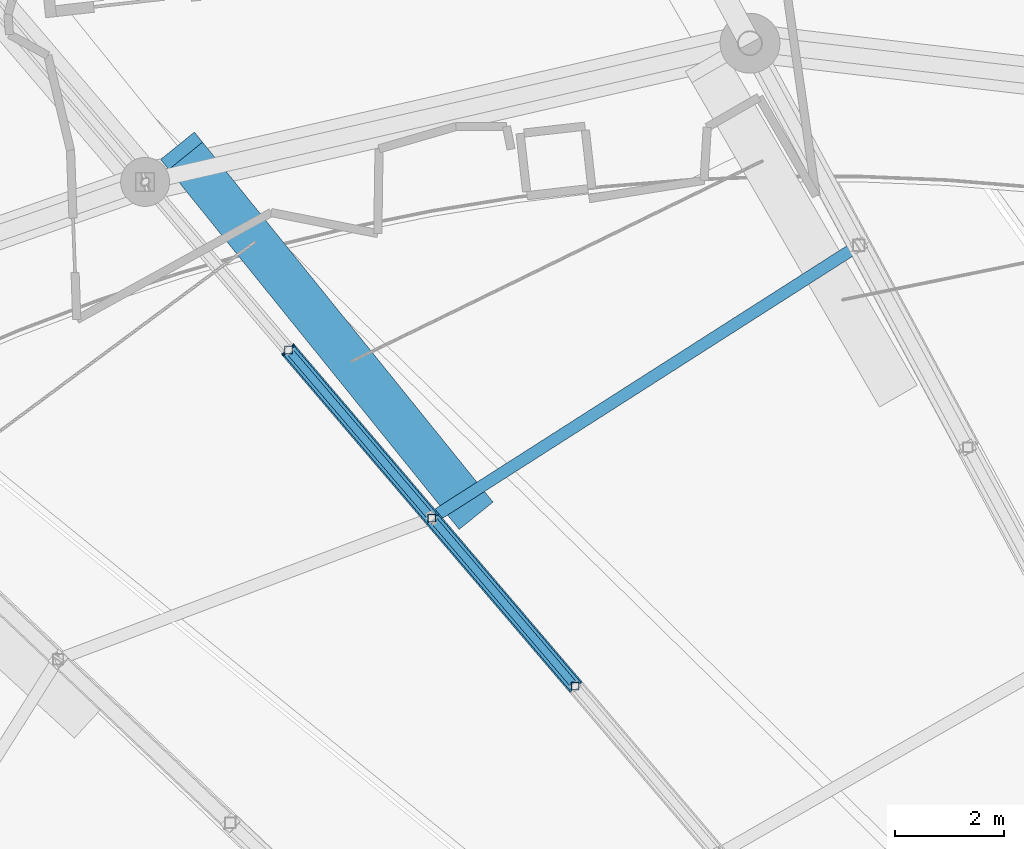
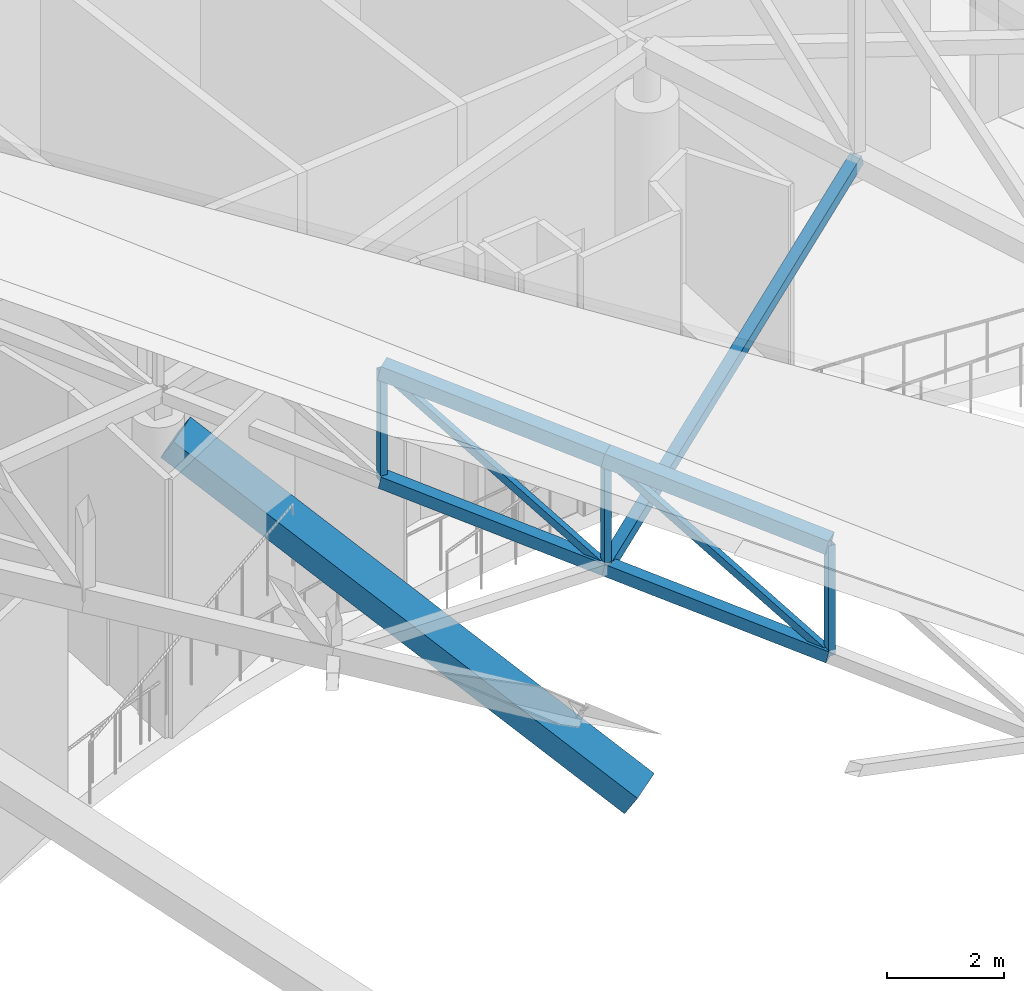
# One storey, part 140 of 344: 10 members, 1 beam.
"""IFC4 building model written with IfcOpenShell, lengths in metres."""

from ifc_helpers import new_model, si_unit, direction, frame, origin, origin_2d, place, context, subcontext, project, spatial, rectangle, hollow_rectangle, extrude, material, material_profile, profile_set, type_object, element, save


model = new_model("IFC4")

# Units and contexts
model_context = context("Model", 3, precision=1e-05, world=origin(), true_north=direction((0.0, 1.0)))
body_context = subcontext(model_context, "Body", "Model", "MODEL_VIEW")
ifc_project = project(units=[si_unit("LENGTHUNIT", "METRE"), si_unit("AREAUNIT", "SQUARE_METRE"), si_unit("VOLUMEUNIT", "CUBIC_METRE"), si_unit("PLANEANGLEUNIT", "RADIAN"), si_unit("MASSUNIT", "GRAM", prefix="KILO")], contexts=[model_context])

# Site, building, storey
site_placement = place(None, origin())
site = spatial("IfcSite", under=ifc_project, at=site_placement, CompositionType="ELEMENT")
building_placement = place(site_placement, origin())
building = spatial("IfcBuilding", under=site, at=building_placement, Name="Meseta Stadium", CompositionType="ELEMENT")
storey_placement = place(building_placement, frame((0.0, 0.0, 24.0)))
storey = spatial("IfcBuildingStorey", under=building, at=storey_placement, Name="L04", CompositionType="ELEMENT", Elevation=24.0)

# Beam
ifc_material_1 = material(Name="Concrete C40/50", Category="concrete")
ifc_material_profile_1 = material_profile(ifc_material_1, rectangle(XDim=0.800048828125, YDim=0.449951171875, at=origin_2d()), Name="RC 800x450")
ifc_profile_set_1 = profile_set([ifc_material_profile_1], Name="Concrete C40/50")
beam_type = type_object("IfcBeamType", Name="RC raker upper rear 800x450", PredefinedType="USERDEFINED", material=ifc_profile_set_1)
beam_placement = place(storey_placement, frame((-49.791015625, 82.498779296875, -1.587646484375), z_axis=(-0.533000219927, 0.660412282013, 0.528929469139), x_axis=(-0.778177101926, -0.628044901292, 0.0)))
element("IfcBeam", 1, at=beam_placement, inside=storey, type_object=beam_type, Name="Raker upper rear frame 23 upper tier", ObjectType="RAKER", PredefinedType="USERDEFINED", context=body_context, shape_type="SweptSolid", body=[
    extrude(rectangle(XDim=0.800048828125, YDim=0.449951171875, at=origin_2d()), origin(), (0.0, 0.0, 1.0), 10.015625),
])

# Members
ifc_material_2 = material(Name="Steel S355", Category="steel")
ifc_material_profile_2 = material_profile(ifc_material_2, hollow_rectangle(XDim=0.139892578125, YDim=0.139892578125, WallThickness=0.0048828125, at=origin_2d()), Name="SHS 140x140x5")
ifc_profile_set_2 = profile_set([ifc_material_profile_2], Name="Steel S355")
member_type_1 = type_object("IfcMemberType", Name="SHS 140x140x5 diagonal", PredefinedType="BRACE", material=ifc_profile_set_2)
for number, where, z_axis, x_axis, name in (
    (2, (-47.8955078125, 79.27392578125, 2.62841796875), (-0.511339599625, 0.599516304119, 0.615720728051), (-0.760841810831, -0.64893739212, 0.0), "ROOF TRUSS RT-23 diagonal"),
    (3, (-50.5302734375, 82.363037109375, 3.5009765625), (-0.511304997159, 0.599578670563, 0.615688734416), (-0.760896819388, -0.64887289221, 0.0), "ROOF TRUSS RT-23 diagonal"),
):
    element("IfcMember", number, at=place(storey_placement, frame(where, z_axis=z_axis, x_axis=x_axis)), inside=storey, type_object=member_type_1, Name=name, PredefinedType="BRACE", context=body_context, shape_type="SweptSolid", body=[
        extrude(hollow_rectangle(XDim=0.139892578125, YDim=0.139892578125, WallThickness=0.0048828125, at=origin_2d()), origin(), (0.0, 0.0, 1.0), 5.152587890625),
    ])
ifc_material_3 = material(Name="Steel S355", Category="steel")
ifc_material_profile_3 = material_profile(ifc_material_3, hollow_rectangle(XDim=0.139892578125, YDim=0.139892578125, WallThickness=0.0048828125, at=origin_2d()), Name="SHS 140x140x5")
ifc_profile_set_3 = profile_set([ifc_material_profile_3], Name="Steel S355")
member_type_2 = type_object("IfcMemberType", Name="SHS 140x140x5 post", PredefinedType="POST", material=ifc_profile_set_3)
for number, where, z_axis, x_axis, name in (
    (4, (-47.8955078125, 79.27392578125, 2.62841796875), (0.0, 0.0, 1.0), (1.0, 0.0, 0.0), "ROOF TRUSS RT-23 post"),
    (5, (-50.5302734375, 82.363037109375, 3.5009765625), (0.0, 0.0, 1.0), (1.0, 0.0, 0.0), "ROOF TRUSS RT-23 post"),
    (6, (-53.164794921875, 85.452392578125, 4.373291015625), (0.0, 0.0, 1.0), (1.0, 0.0, 0.0), "ROOF TRUSS RT-23 post"),
):
    element("IfcMember", number, at=place(storey_placement, frame(where, z_axis=z_axis, x_axis=x_axis)), inside=storey, type_object=member_type_2, Name=name, PredefinedType="POST", context=body_context, shape_type="SweptSolid", body=[
        extrude(hollow_rectangle(XDim=0.139892578125, YDim=0.139892578125, WallThickness=0.0048828125, at=origin_2d()), origin(), (0.0, 0.0, 1.0), 2.300048828125),
    ])
ifc_material_4 = material(Name="Steel S355", Category="steel")
ifc_material_profile_4 = material_profile(ifc_material_4, hollow_rectangle(XDim=0.219970703125, YDim=0.219970703125, WallThickness=0.008056640625, at=origin_2d()), Name="SHS 220x220x8")
ifc_profile_set_4 = profile_set([ifc_material_profile_4], Name="Steel S355")
member_type_3 = type_object("IfcMemberType", Name="SHS 220x220x8 strut", PredefinedType="STRUT", material=ifc_profile_set_4)
member_placement = place(storey_placement, frame((-42.682373046875, 87.3779296875, 6.225830078125), z_axis=(-0.80874601122, -0.516797381132, -0.280803055879), x_axis=(0.538462185972, -0.842649674703, 0.0)))
element("IfcMember", 7, at=member_placement, inside=storey, type_object=member_type_3, Name="ROOF TRUSS STRUT RT-22/23", PredefinedType="STRUT", context=body_context, shape_type="SweptSolid", body=[
    extrude(hollow_rectangle(XDim=0.219970703125, YDim=0.219970703125, WallThickness=0.008056640625, at=origin_2d()), origin(), (0.0, 0.0, 1.0), 9.703857421875),
])
ifc_material_5 = material(Name="Steel S355", Category="steel")
ifc_material_profile_5 = material_profile(ifc_material_5, hollow_rectangle(XDim=0.25, YDim=0.25, WallThickness=0.010009765625, at=origin_2d()), Name="SHS 250x250x10")
ifc_profile_set_5 = profile_set([ifc_material_profile_5], Name="Steel S355")
member_type_4 = type_object("IfcMemberType", Name="SHS 250x250x10 bottom chord", PredefinedType="CHORD", material=ifc_profile_set_5)
for number, where, z_axis, x_axis, name in (
    (8, (-47.8955078125, 79.27392578125, 2.62841796875), (-0.634451365994, 0.743857777421, 0.210112044298), (-0.760841810831, -0.64893739212, 0.0), "ROOF TRUSS RT-23 bottom chord"),
    (9, (-50.5302734375, 82.363037109375, 3.5009765625), (-0.634396329544, 0.743920966922, 0.210054497772), (-0.760896819388, -0.64887289221, 0.0), "ROOF TRUSS RT-23 bottom chord"),
):
    element("IfcMember", number, at=place(storey_placement, frame(where, z_axis=z_axis, x_axis=x_axis)), inside=storey, type_object=member_type_4, Name=name, PredefinedType="CHORD", context=body_context, shape_type="SweptSolid", body=[
        extrude(hollow_rectangle(XDim=0.25, YDim=0.25, WallThickness=0.010009765625, at=origin_2d()), origin(), (0.0, 0.0, 1.0), 4.15283203125),
    ])
ifc_material_6 = material(Name="Steel S355", Category="steel")
ifc_material_profile_6 = material_profile(ifc_material_6, hollow_rectangle(XDim=0.300048828125, YDim=0.300048828125, WallThickness=0.010009765625, at=origin_2d()), Name="SHS 300x300x10")
ifc_profile_set_6 = profile_set([ifc_material_profile_6], Name="Steel S355")
member_type_5 = type_object("IfcMemberType", Name="SHS 300x300x10 top chord", PredefinedType="CHORD", material=ifc_profile_set_6)
for number, where, z_axis, x_axis, name in (
    (10, (-47.8955078125, 79.27392578125, 4.928466796875), (-0.634451365994, 0.743857777421, 0.210112044298), (-0.760841810831, -0.64893739212, 0.0), "ROOF TRUSS RT-23 top chord"),
    (11, (-50.5302734375, 82.363037109375, 5.801025390625), (-0.634396329544, 0.743920966922, 0.210054497772), (-0.760896819388, -0.64887289221, 0.0), "ROOF TRUSS RT-23 top chord"),
):
    element("IfcMember", number, at=place(storey_placement, frame(where, z_axis=z_axis, x_axis=x_axis)), inside=storey, type_object=member_type_5, Name=name, PredefinedType="CHORD", context=body_context, shape_type="SweptSolid", body=[
        extrude(hollow_rectangle(XDim=0.300048828125, YDim=0.300048828125, WallThickness=0.010009765625, at=origin_2d()), origin(), (0.0, 0.0, 1.0), 4.15283203125),
    ])

save(model, "model.ifc")
